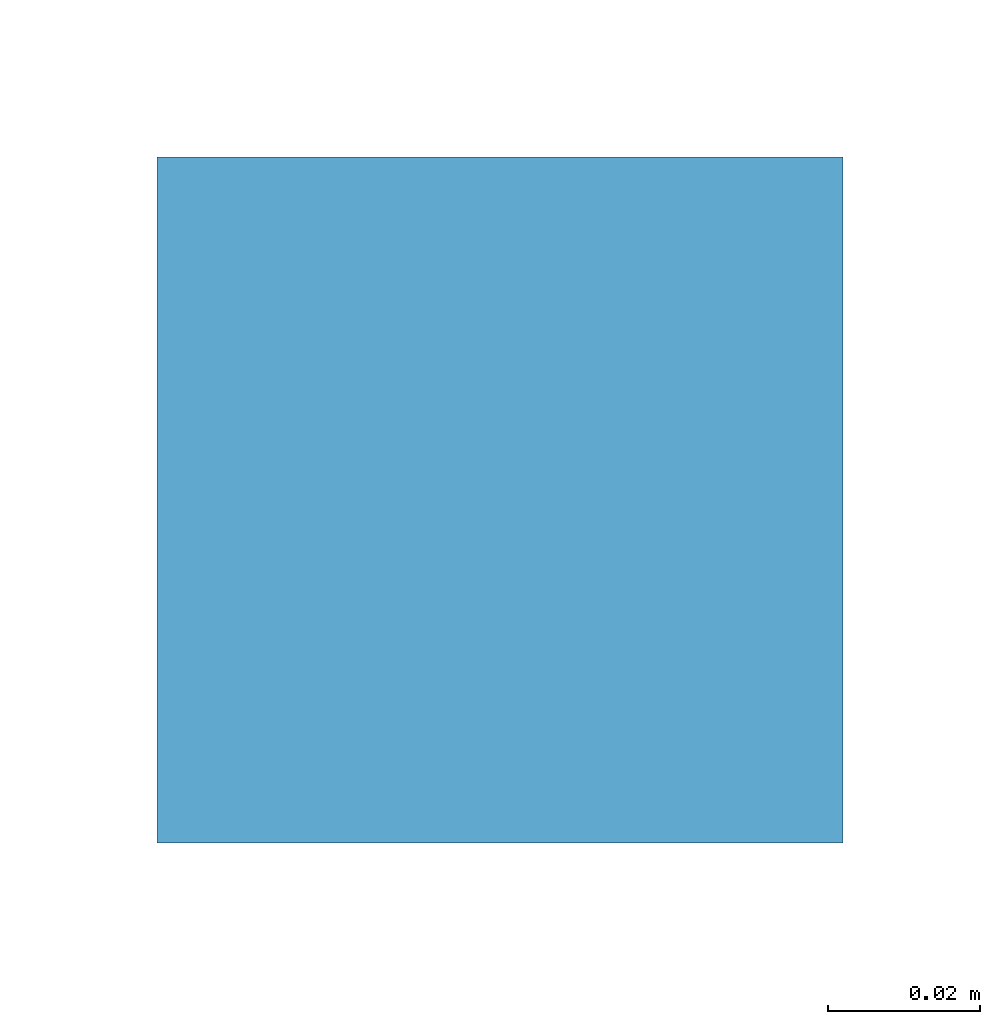
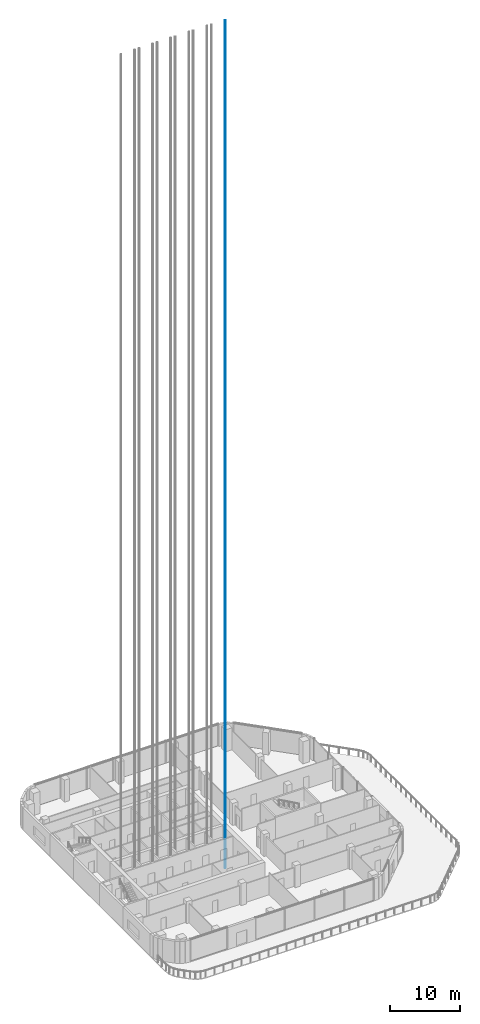
# One storey, part 17 of 29: 1 member.
"""IFC4 building model written with IfcOpenShell, lengths in metres."""

from ifc_helpers import new_model, si_unit, direction, frame, origin, origin_2d, place, context, subcontext, project, spatial, rectangle, extrude, material, material_profile, profile_set, type_object, element, save


model = new_model("IFC4")

# Units and contexts
model_context = context("Model", 3, precision=1e-05, world=origin(), true_north=direction((0.0, 1.0)))
body_context = subcontext(model_context, "Body", "Model", "MODEL_VIEW")
ifc_project = project(units=[si_unit("LENGTHUNIT", "METRE"), si_unit("AREAUNIT", "SQUARE_METRE"), si_unit("VOLUMEUNIT", "CUBIC_METRE"), si_unit("PLANEANGLEUNIT", "RADIAN"), si_unit("MASSUNIT", "GRAM", prefix="KILO")], contexts=[model_context])

# Site, building, storey
site_placement = place(None, origin())
site = spatial("IfcSite", under=ifc_project, at=site_placement, CompositionType="ELEMENT")
building_placement = place(site_placement, origin())
building = spatial("IfcBuilding", under=site, at=building_placement, Name="Cinnabar Reach Civic Tower", CompositionType="ELEMENT")
storey_placement = place(building_placement, frame((0.0, 0.0, 149.0)))
storey = spatial("IfcBuildingStorey", under=building, at=storey_placement, Name="L35", CompositionType="ELEMENT", Elevation=149.0)

# Member
ifc_material = material(Name="Steel Q355B", Category="steel")
ifc_material_profile = material_profile(ifc_material, rectangle(XDim=0.09, YDim=0.09, at=origin_2d()), Name="T1 lift guide rail")
ifc_profile_set = profile_set([ifc_material_profile], Name="Steel Q355B")
member_type = type_object("IfcMemberType", Name="T1 lift guide rail", PredefinedType="USERDEFINED", material=ifc_profile_set)
member_placement = place(storey_placement, frame((22.13, 30.0, -2.5), z_axis=(0.0, 0.0, 1.0), x_axis=(1.0, 0.0, 0.0)))
element("IfcMember", 1, at=member_placement, inside=storey, type_object=member_type, Name="T1-HR6 guide rail 2", ObjectType="GUIDE RAIL", PredefinedType="USERDEFINED", context=body_context, shape_type="SweptSolid", body=[
    extrude(rectangle(XDim=0.09, YDim=0.09, at=origin_2d()), origin(), (0.0, 0.0, 1.0), 148.5),
])

save(model, "model.ifc")
